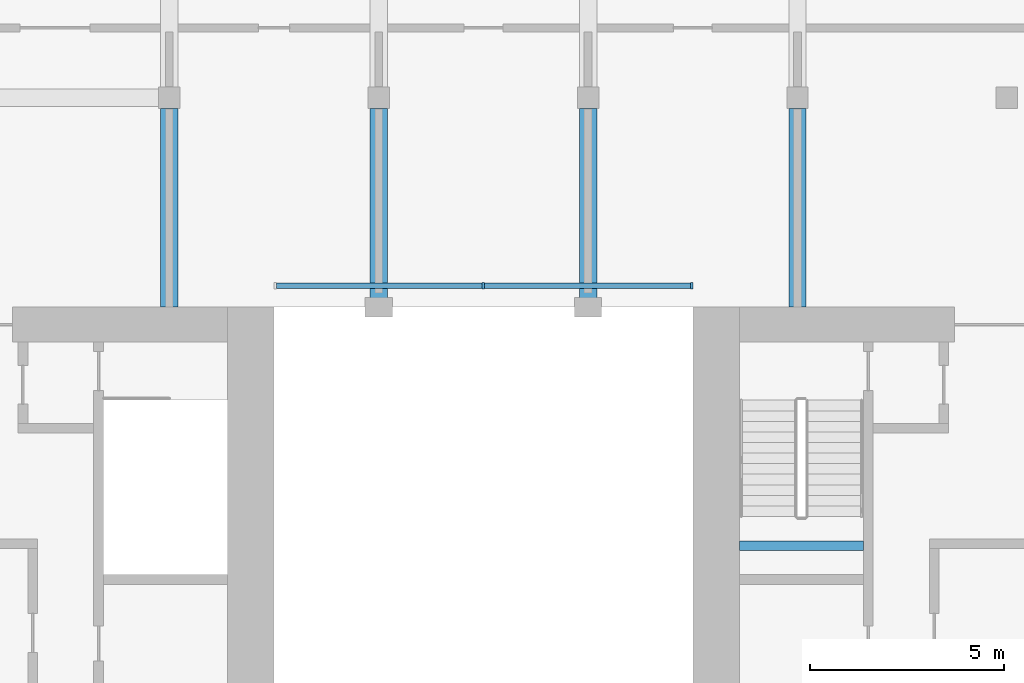
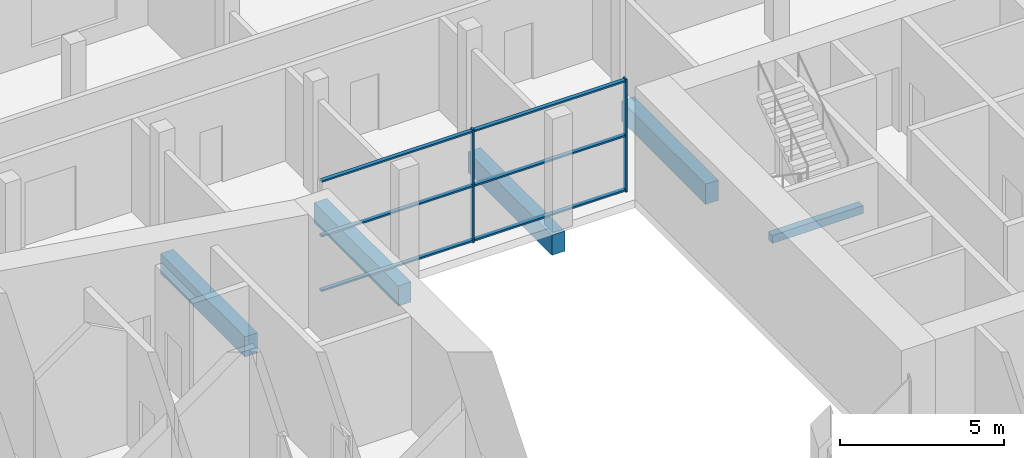
# One storey, part 4 of 11: 8 members, 5 beams, 1 element without a shape of its own.
"""IFC4 building model written with IfcOpenShell, lengths in metres."""

from ifc_helpers import new_model, si_unit, direction, frame, origin, origin_2d, place, context, subcontext, project, spatial, rectangle, extrude, material, material_profile, profile_set, type_object, element, aggregate, save


model = new_model("IFC4")

# Units and contexts
model_context = context("Model", 3, precision=1e-05, world=origin(), true_north=direction((0.0, 1.0)))
body_context = subcontext(model_context, "Body", "Model", "MODEL_VIEW")
ifc_project = project(units=[si_unit("LENGTHUNIT", "METRE"), si_unit("AREAUNIT", "SQUARE_METRE"), si_unit("VOLUMEUNIT", "CUBIC_METRE"), si_unit("PLANEANGLEUNIT", "RADIAN"), si_unit("MASSUNIT", "GRAM", prefix="KILO")], contexts=[model_context])

# Site, building, storey
site_placement = place(None, origin())
site = spatial("IfcSite", under=ifc_project, at=site_placement, CompositionType="ELEMENT")
building_placement = place(site_placement, origin())
building = spatial("IfcBuilding", under=site, at=building_placement, Name="Tabaq Tower and Sports Hall", CompositionType="ELEMENT")
storey_placement = place(building_placement, frame((0.0, 0.0, 321.699951171875)))
storey = spatial("IfcBuildingStorey", under=building, at=storey_placement, Name="L80", CompositionType="ELEMENT", Elevation=321.699951171875)

# Curtain wall, members
ifc_material_1 = material(Name="Aluminium alloy 6063-T6 framed glazing", Category="aluminium")
curtain_wall_type = type_object("IfcCurtainWallType", Name="CW1 curtain wall", PredefinedType="USERDEFINED", material=ifc_material_1)
curtain_wall_placement = place(storey_placement, origin())
curtain_wall = element("IfcCurtainWall", 1, at=curtain_wall_placement, inside=storey, type_object=curtain_wall_type, Name="Atrium glazing L80 N", ObjectType="ATRIUM ENCLOSURE", PredefinedType="USERDEFINED")
ifc_material_2 = material(Name="Aluminium alloy 6063-T6", Category="aluminium")
ifc_material_profile_1 = material_profile(ifc_material_2, rectangle(XDim=0.159912109375, YDim=0.06005859375, at=origin_2d()), Name="MULLION 160x60")
ifc_profile_set_1 = profile_set([ifc_material_profile_1], Name="Aluminium alloy 6063-T6")
member_type_1 = type_object("IfcMemberType", Name="CW1 mullion 160x60", PredefinedType="MULLION", material=ifc_profile_set_1)
member_1_placement = place(storey_placement, frame((24.300048828125, 32.949951171875, 0.0), z_axis=(0.0, 0.0, 1.0), x_axis=(0.0, 1.0, 0.0)))
member_1 = element("IfcMember", 2, at=member_1_placement, type_object=member_type_1, Name="CW1 mullion 2", PredefinedType="MULLION", context=body_context, shape_type="SweptSolid", body=[
    extrude(rectangle(XDim=0.159912109375, YDim=0.06005859375, at=origin_2d()), origin(), (0.0, 0.0, 1.0), 4.199951171875),
])
member_2_placement = place(storey_placement, frame((29.669921875, 32.949951171875, 0.0), z_axis=(0.0, 0.0, 1.0), x_axis=(0.0, 1.0, 0.0)))
member_2 = element("IfcMember", 3, at=member_2_placement, type_object=member_type_1, Name="CW1 mullion 3", PredefinedType="MULLION", context=body_context, shape_type="SweptSolid", body=[
    extrude(rectangle(XDim=0.159912109375, YDim=0.06005859375, at=origin_2d()), origin(), (0.0, 0.0, 1.0), 4.199951171875),
])
ifc_material_3 = material(Name="Aluminium alloy 6063-T6", Category="aluminium")
ifc_material_profile_2 = material_profile(ifc_material_3, rectangle(XDim=0.139892578125, YDim=0.06005859375, at=origin_2d()), Name="TRANSOM 140x60")
ifc_profile_set_2 = profile_set([ifc_material_profile_2], Name="Aluminium alloy 6063-T6")
member_type_2 = type_object("IfcMemberType", Name="CW1 transom 140x60", PredefinedType="USERDEFINED", material=ifc_profile_set_2)
member_3_placement = place(storey_placement, frame((18.9599609375, 32.949951171875, 0.070068359375), z_axis=(1.0, 0.0, 0.0), x_axis=(0.0, 1.0, 0.0)))
member_3 = element("IfcMember", 4, at=member_3_placement, type_object=member_type_2, Name="CW1 transom 1.1", ObjectType="TRANSOM", PredefinedType="USERDEFINED", context=body_context, shape_type="SweptSolid", body=[
    extrude(rectangle(XDim=0.139892578125, YDim=0.06005859375, at=origin_2d()), origin(), (0.0, 0.0, 1.0), 5.31005859375),
])
member_4_placement = place(storey_placement, frame((18.9599609375, 32.949951171875, 2.10009765625), z_axis=(1.0, 0.0, 0.0), x_axis=(0.0, 1.0, 0.0)))
member_4 = element("IfcMember", 5, at=member_4_placement, type_object=member_type_2, Name="CW1 transom 1.2", ObjectType="TRANSOM", PredefinedType="USERDEFINED", context=body_context, shape_type="SweptSolid", body=[
    extrude(rectangle(XDim=0.139892578125, YDim=0.06005859375, at=origin_2d()), origin(), (0.0, 0.0, 1.0), 5.31005859375),
])
member_5_placement = place(storey_placement, frame((18.9599609375, 32.949951171875, 4.130126953125), z_axis=(1.0, 0.0, 0.0), x_axis=(0.0, 1.0, 0.0)))
member_5 = element("IfcMember", 6, at=member_5_placement, type_object=member_type_2, Name="CW1 transom 1.3", ObjectType="TRANSOM", PredefinedType="USERDEFINED", context=body_context, shape_type="SweptSolid", body=[
    extrude(rectangle(XDim=0.139892578125, YDim=0.06005859375, at=origin_2d()), origin(), (0.0, 0.0, 1.0), 5.31005859375),
])
member_6_placement = place(storey_placement, frame((24.330078125, 32.949951171875, 0.070068359375), z_axis=(1.0, 0.0, 0.0), x_axis=(0.0, 1.0, 0.0)))
member_6 = element("IfcMember", 7, at=member_6_placement, type_object=member_type_2, Name="CW1 transom 2.1", ObjectType="TRANSOM", PredefinedType="USERDEFINED", context=body_context, shape_type="SweptSolid", body=[
    extrude(rectangle(XDim=0.139892578125, YDim=0.06005859375, at=origin_2d()), origin(), (0.0, 0.0, 1.0), 5.309814453125),
])
member_7_placement = place(storey_placement, frame((24.330078125, 32.949951171875, 2.10009765625), z_axis=(1.0, 0.0, 0.0), x_axis=(0.0, 1.0, 0.0)))
member_7 = element("IfcMember", 8, at=member_7_placement, type_object=member_type_2, Name="CW1 transom 2.2", ObjectType="TRANSOM", PredefinedType="USERDEFINED", context=body_context, shape_type="SweptSolid", body=[
    extrude(rectangle(XDim=0.139892578125, YDim=0.06005859375, at=origin_2d()), origin(), (0.0, 0.0, 1.0), 5.309814453125),
])
member_8_placement = place(storey_placement, frame((24.330078125, 32.949951171875, 4.130126953125), z_axis=(1.0, 0.0, 0.0), x_axis=(0.0, 1.0, 0.0)))
member_8 = element("IfcMember", 9, at=member_8_placement, type_object=member_type_2, Name="CW1 transom 2.3", ObjectType="TRANSOM", PredefinedType="USERDEFINED", context=body_context, shape_type="SweptSolid", body=[
    extrude(rectangle(XDim=0.139892578125, YDim=0.06005859375, at=origin_2d()), origin(), (0.0, 0.0, 1.0), 5.309814453125),
])
aggregate(curtain_wall, [member_1, member_2, member_3, member_4, member_5, member_6, member_7, member_8])

# Beams
ifc_material_4 = material(Name="Concrete C40/50", Category="concrete")
ifc_material_profile_3 = material_profile(ifc_material_4, rectangle(XDim=0.449951171875, YDim=0.75, at=origin_2d()), Name="CB 450x750")
ifc_profile_set_3 = profile_set([ifc_material_profile_3], Name="Concrete C40/50")
beam_type_1 = type_object("IfcBeamType", Name="PT CANTILEVER BEAM CB 450x750 C40/50", PredefinedType="BEAM", material=ifc_profile_set_3)
for number, where, z_axis, x_axis, name in (
    (10, (16.199951171875, 37.52490234375, -0.675048828125), (0.0, -1.0, 0.0), (1.0, 0.0, 0.0), "Cantilever Beam L80 N3 span 3"),
    (11, (21.60009765625, 37.52490234375, -0.675048828125), (0.0, -1.0, 0.0), (1.0, 0.0, 0.0), "Cantilever Beam L80 N4 span 3"),
    (12, (27.0, 37.52490234375, -0.675048828125), (0.0, -1.0, 0.0), (1.0, 0.0, 0.0), "Cantilever Beam L80 N5 span 3"),
    (13, (32.39990234375, 37.52490234375, -0.675048828125), (0.0, -1.0, 0.0), (1.0, 0.0, 0.0), "Cantilever Beam L80 N6 span 3"),
):
    element("IfcBeam", number, at=place(storey_placement, frame(where, z_axis=z_axis, x_axis=x_axis)), inside=storey, type_object=beam_type_1, Name=name, PredefinedType="BEAM", context=body_context, shape_type="SweptSolid", body=[
        extrude(rectangle(XDim=0.449951171875, YDim=0.75, at=origin_2d()), origin(), (0.0, 0.0, 1.0), 5.125),
    ])
ifc_material_5 = material(Name="Concrete C40/50", Category="concrete")
ifc_material_profile_4 = material_profile(ifc_material_5, rectangle(XDim=0.25, YDim=0.300048828125, at=origin_2d()), Name="RC 250x300")
ifc_profile_set_4 = profile_set([ifc_material_profile_4], Name="Concrete C40/50")
beam_type_2 = type_object("IfcBeamType", Name="Stair landing beam 250x300", PredefinedType="BEAM", material=ifc_profile_set_4)
beam_placement = place(storey_placement, frame((30.89990234375, 26.25, 1.900146484375), z_axis=(1.0, 0.0, 0.0), x_axis=(0.0, 1.0, 0.0)))
element("IfcBeam", 14, at=beam_placement, inside=storey, type_object=beam_type_2, Name="L80 ST4 landing beam 1", PredefinedType="BEAM", context=body_context, shape_type="SweptSolid", body=[
    extrude(rectangle(XDim=0.25, YDim=0.300048828125, at=origin_2d()), origin(), (0.0, 0.0, 1.0), 3.2001953125),
])

save(model, "model.ifc")
